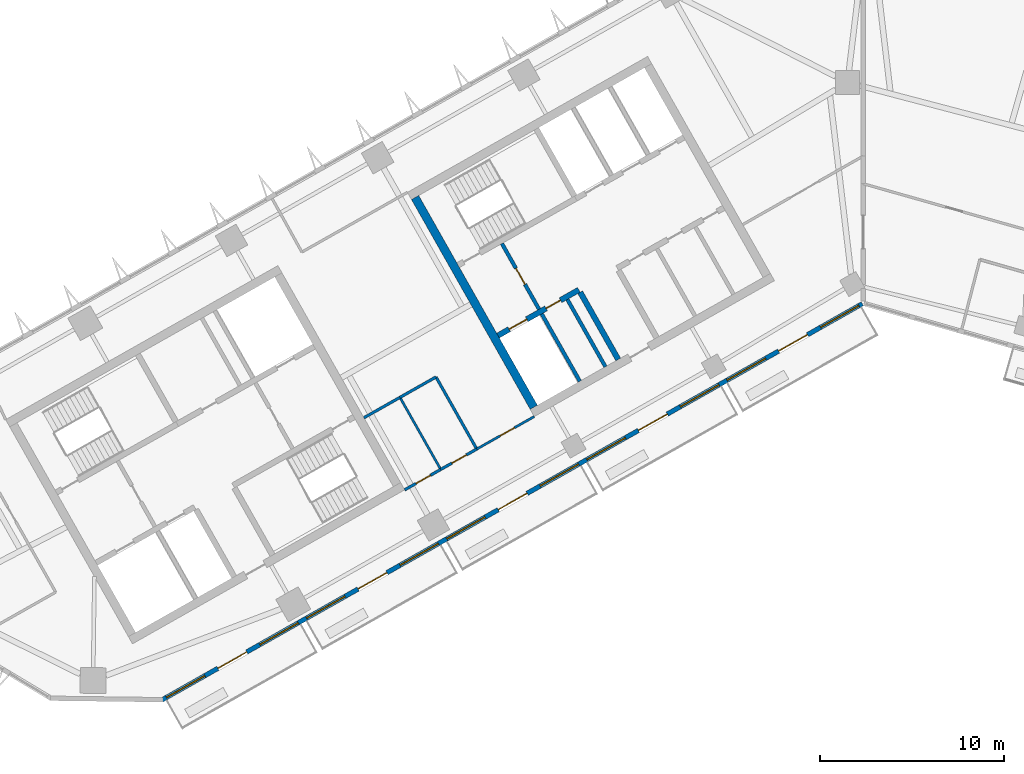
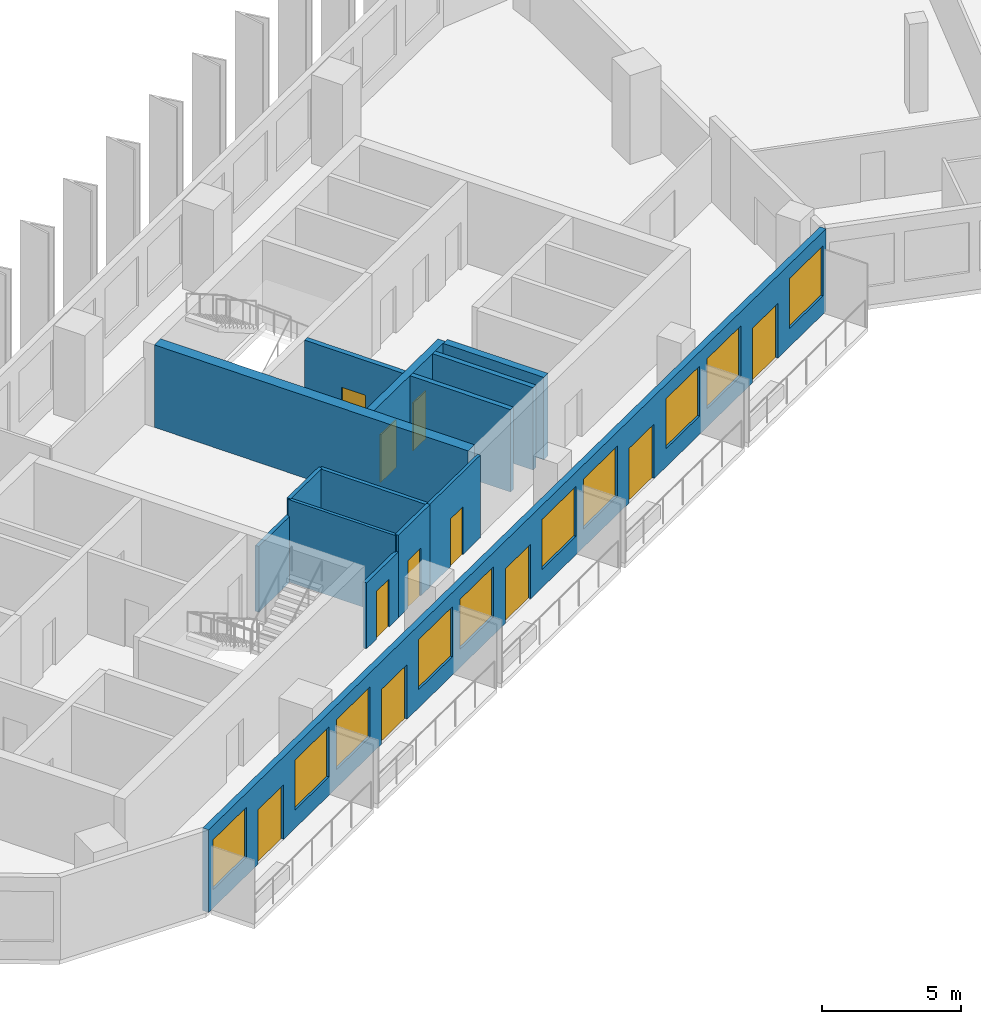
# One storey, part 5 of 12: 14 walls, 11 doors, 10 windows, 21 openings.
"""IFC4 building model written with IfcOpenShell, lengths in metres."""

from ifc_helpers import new_model, si_unit, direction, frame, frame_2d, origin, place, context, subcontext, project, spatial, rectangle, extrude, material, layer, layer_set, type_object, element, fill, save


model = new_model("IFC4")

# Units and contexts
model_context = context("Model", 3, precision=1e-05, world=origin(), true_north=direction((0.0, 1.0)))
body_context = subcontext(model_context, "Body", "Model", "MODEL_VIEW")
ifc_project = project(units=[si_unit("LENGTHUNIT", "METRE"), si_unit("AREAUNIT", "SQUARE_METRE"), si_unit("VOLUMEUNIT", "CUBIC_METRE"), si_unit("PLANEANGLEUNIT", "RADIAN"), si_unit("MASSUNIT", "GRAM", prefix="KILO")], contexts=[model_context])

# Site, building, storey
site_placement = place(None, origin())
site = spatial("IfcSite", under=ifc_project, at=site_placement, CompositionType="ELEMENT")
building_placement = place(site_placement, origin())
building = spatial("IfcBuilding", under=site, at=building_placement, Name="Binnacle Exchange Tower", CompositionType="ELEMENT")
storey_placement = place(building_placement, frame((0.0, 0.0, 238.699951171875)))
storey = spatial("IfcBuildingStorey", under=building, at=storey_placement, Name="L52", CompositionType="ELEMENT", Elevation=238.699951171875)

# Wall, openings, doors
ifc_material_1 = material(Name="Concrete C70/85", Category="concrete")
ifc_layer_1 = layer(ifc_material_1, 0.300048828125)
ifc_layer_set_1 = layer_set([ifc_layer_1], Name="Core wall - front 300")
wall_type_1 = type_object("IfcWallType", Name="Core wall - front 300", PredefinedType="SOLIDWALL", material=ifc_layer_set_1)
wall_1_placement = place(storey_placement, frame((-19.8486328125, 46.242431640625, 0.0), z_axis=(0.0, 0.0, 1.0), x_axis=(0.870347559728, 0.492437940532, 0.0)))
wall_1 = element("IfcWall", 1, at=wall_1_placement, inside=storey, type_object=wall_type_1, Name="Core wall CRWC2", PredefinedType="SOLIDWALL", context=body_context, shape_type="SweptSolid", body=[
    extrude(rectangle(XDim=5.050048828125, YDim=0.300048828125, at=frame_2d((2.52490234375, 0.0))), origin(), (0.0, 0.0, 1.0), 3.6201171875),
])
opening_1_placement = place(wall_1_placement, frame((0.7001953125, 0.0, 0.0)))
opening_1 = element("IfcOpeningElement", 2, at=opening_1_placement, cuts=wall_1, Name="Opening LD14", PredefinedType="OPENING", context=body_context, shape_type="SweptSolid", body=[
    extrude(rectangle(XDim=1.10009765625, YDim=2.10009765625, at=frame_2d((0.550048828125, 1.050048828125))), frame((0.0, 0.159912109375, 0.0), z_axis=(0.0, -1.0, 0.0), x_axis=(1.0, 0.0, 0.0)), (0.0, 0.0, 1.0), 0.320068359375),
])
opening_2_placement = place(wall_1_placement, frame((3.0, 0.0, 0.0)))
opening_2 = element("IfcOpeningElement", 3, at=opening_2_placement, cuts=wall_1, Name="Opening DC14", PredefinedType="OPENING", context=body_context, shape_type="SweptSolid", body=[
    extrude(rectangle(XDim=0.89990234375, YDim=2.10009765625, at=frame_2d((0.449951171875, 1.050048828125))), frame((0.0, 0.159912109375, 0.0), z_axis=(0.0, -1.0, 0.0), x_axis=(1.0, 0.0, 0.0)), (0.0, 0.0, 1.0), 0.320068359375),
])
ifc_material_2 = material(Name="Steel door leaf", Category="steel")
door_type_1 = type_object("IfcDoorType", Name="Fire door - lift landing 1100", OperationType="NOTDEFINED", PredefinedType="DOOR", material=ifc_material_2)
door_1_placement = place(opening_1_placement, origin())
door_1 = element("IfcDoor", 4, at=door_1_placement, inside=storey, type_object=door_type_1, Name="Landing door LD14 L52", OperationType="DOUBLE_DOOR_SLIDING", OverallHeight=2.10009765625, OverallWidth=1.10009765625, PredefinedType="DOOR", context=body_context, shape_type="SweptSolid", body=[
    extrude(rectangle(XDim=1.10009765625, YDim=2.10009765625, at=frame_2d((0.550048828125, 1.050048828125))), frame((0.0, 0.02490234375, 0.0), z_axis=(0.0, -1.0, 0.0), x_axis=(1.0, 0.0, 0.0)), (0.0, 0.0, 1.0), 0.050048828125),
])
fill(opening_1, door_1)
door_type_2 = type_object("IfcDoorType", Name="Fire door 900", OperationType="NOTDEFINED", PredefinedType="DOOR", material=ifc_material_2)
door_2_placement = place(opening_2_placement, frame((0.89990234375, 0.0, 0.0), z_axis=(0.0, 0.0, 1.0), x_axis=(-1.0, 0.0, 0.0)))
door_2 = element("IfcDoor", 5, at=door_2_placement, inside=storey, type_object=door_type_2, Name="Core room door CLEANERS STORE", OperationType="SINGLE_SWING_LEFT", OverallHeight=2.10009765625, OverallWidth=0.89990234375, PredefinedType="DOOR", context=body_context, shape_type="SweptSolid", body=[
    extrude(rectangle(XDim=0.89990234375, YDim=2.10009765625, at=frame_2d((0.449951171875, 1.050048828125))), frame((0.0, 0.02490234375, 0.0), z_axis=(0.0, -1.0, 0.0), x_axis=(1.0, 0.0, 0.0)), (0.0, 0.0, 1.0), 0.050048828125),
])
fill(opening_2, door_2)

# Walls
wall_2_placement = place(storey_placement, frame((-15.37939453125, 48.5986328125, 0.0), z_axis=(0.0, 0.0, 1.0), x_axis=(0.492409653846, -0.870363563575, 0.0)))
element("IfcWall", 6, at=wall_2_placement, inside=storey, type_object=wall_type_1, Name="Core wall CRWC13", PredefinedType="SOLIDWALL", context=body_context, shape_type="SweptSolid", body=[
    extrude(rectangle(XDim=4.199951171875, YDim=0.300048828125, at=frame_2d((2.10009765625, 0.0))), origin(), (0.0, 0.0, 1.0), 3.6201171875),
])
ifc_layer_2 = layer(ifc_material_1, 0.449951171875)
ifc_layer_set_2 = layer_set([ifc_layer_2], Name="Core wall - outer 450")
wall_type_2 = type_object("IfcWallType", Name="Core wall - outer 450", PredefinedType="SOLIDWALL", material=ifc_layer_set_2)
wall_3_placement = place(storey_placement, frame((-24.353271484375, 53.747314453125, 0.0), z_axis=(0.0, 0.0, 1.0), x_axis=(0.492435496286, -0.870348942665, 0.0)))
element("IfcWall", 7, at=wall_3_placement, inside=storey, type_object=wall_type_2, Name="Core wall CRWC7", PredefinedType="SOLIDWALL", context=body_context, shape_type="SweptSolid", body=[
    extrude(rectangle(XDim=13.10009765625, YDim=0.449951171875, at=frame_2d((6.550048828125, 0.0))), origin(), (0.0, 0.0, 1.0), 3.6201171875),
])

# Wall, openings, doors, windows
ifc_material_3 = material(Name="Bronze aluminium cladding", Category="aluminium")
ifc_layer_3 = layer(ifc_material_3, 0.25)
ifc_layer_set_3 = layer_set([ifc_layer_3], Name="External wall - window wall 250")
wall_type_3 = type_object("IfcWallType", Name="External wall - window wall 250", PredefinedType="STANDARD", material=ifc_layer_set_3)
wall_4_placement = place(storey_placement, frame((-0.045654296875, 47.97412109375, 0.0), z_axis=(0.0, 0.0, 1.0), x_axis=(-0.870356579543, -0.492421998337, 0.0)))
wall_4 = element("IfcWall", 8, at=wall_4_placement, inside=storey, type_object=wall_type_3, Name="External wall EW-G01 L52", PredefinedType="STANDARD", context=body_context, shape_type="SweptSolid", body=[
    extrude(rectangle(XDim=43.75390625, YDim=0.25, at=frame_2d((21.876953125, 0.0))), origin(), (0.0, 0.0, 1.0), 3.6201171875),
])
opening_3_placement = place(wall_4_placement, frame((41.061279296875, 0.0, 0.800048828125)))
opening_3 = element("IfcOpeningElement", 9, at=opening_3_placement, cuts=wall_4, Name="Opening WR1", PredefinedType="OPENING", context=body_context, shape_type="SweptSolid", body=[
    extrude(rectangle(XDim=2.39990234375, YDim=2.199951171875, at=frame_2d((1.199951171875, 1.10009765625))), frame((0.0, 0.135009765625, 0.0), z_axis=(0.0, -1.0, 0.0), x_axis=(1.0, 0.0, 0.0)), (0.0, 0.0, 1.0), 0.27001953125),
])
opening_4_placement = place(wall_4_placement, frame((38.443115234375, 0.0, 0.0)))
opening_4 = element("IfcOpeningElement", 10, at=opening_4_placement, cuts=wall_4, Name="Opening D-FS15-01", PredefinedType="OPENING", context=body_context, shape_type="SweptSolid", body=[
    extrude(rectangle(XDim=1.800048828125, YDim=2.39990234375, at=frame_2d((0.89990234375, 1.199951171875))), frame((0.0, 0.135009765625, 0.0), z_axis=(0.0, -1.0, 0.0), x_axis=(1.0, 0.0, 0.0)), (0.0, 0.0, 1.0), 0.27001953125),
])
opening_5_placement = place(wall_4_placement, frame((35.224853515625, 0.0, 0.800048828125)))
opening_5 = element("IfcOpeningElement", 11, at=opening_5_placement, cuts=wall_4, Name="Opening WR1", PredefinedType="OPENING", context=body_context, shape_type="SweptSolid", body=[
    extrude(rectangle(XDim=2.39990234375, YDim=2.199951171875, at=frame_2d((1.199951171875, 1.10009765625))), frame((0.0, 0.135009765625, 0.0), z_axis=(0.0, -1.0, 0.0), x_axis=(1.0, 0.0, 0.0)), (0.0, 0.0, 1.0), 0.27001953125),
])
opening_6_placement = place(wall_4_placement, frame((32.306640625, 0.0, 0.800048828125)))
opening_6 = element("IfcOpeningElement", 12, at=opening_6_placement, cuts=wall_4, Name="Opening WR1", PredefinedType="OPENING", context=body_context, shape_type="SweptSolid", body=[
    extrude(rectangle(XDim=2.39990234375, YDim=2.199951171875, at=frame_2d((1.199951171875, 1.10009765625))), frame((0.0, 0.135009765625, 0.0), z_axis=(0.0, -1.0, 0.0), x_axis=(1.0, 0.0, 0.0)), (0.0, 0.0, 1.0), 0.27001953125),
])
opening_7_placement = place(wall_4_placement, frame((29.6884765625, 0.0, 0.0)))
opening_7 = element("IfcOpeningElement", 13, at=opening_7_placement, cuts=wall_4, Name="Opening D-FS15-02", PredefinedType="OPENING", context=body_context, shape_type="SweptSolid", body=[
    extrude(rectangle(XDim=1.800048828125, YDim=2.39990234375, at=frame_2d((0.89990234375, 1.199951171875))), frame((0.0, 0.135009765625, 0.0), z_axis=(0.0, -1.0, 0.0), x_axis=(1.0, 0.0, 0.0)), (0.0, 0.0, 1.0), 0.27001953125),
])
opening_8_placement = place(wall_4_placement, frame((26.47021484375, 0.0, 0.800048828125)))
opening_8 = element("IfcOpeningElement", 14, at=opening_8_placement, cuts=wall_4, Name="Opening WR1", PredefinedType="OPENING", context=body_context, shape_type="SweptSolid", body=[
    extrude(rectangle(XDim=2.39990234375, YDim=2.199951171875, at=frame_2d((1.199951171875, 1.10009765625))), frame((0.0, 0.135009765625, 0.0), z_axis=(0.0, -1.0, 0.0), x_axis=(1.0, 0.0, 0.0)), (0.0, 0.0, 1.0), 0.27001953125),
])
opening_9_placement = place(wall_4_placement, frame((23.552001953125, 0.0, 0.800048828125)))
opening_9 = element("IfcOpeningElement", 15, at=opening_9_placement, cuts=wall_4, Name="Opening WR1", PredefinedType="OPENING", context=body_context, shape_type="SweptSolid", body=[
    extrude(rectangle(XDim=2.39990234375, YDim=2.199951171875, at=frame_2d((1.199951171875, 1.10009765625))), frame((0.0, 0.135009765625, 0.0), z_axis=(0.0, -1.0, 0.0), x_axis=(1.0, 0.0, 0.0)), (0.0, 0.0, 1.0), 0.27001953125),
])
opening_10_placement = place(wall_4_placement, frame((20.93408203125, 0.0, 0.0)))
opening_10 = element("IfcOpeningElement", 16, at=opening_10_placement, cuts=wall_4, Name="Opening D-FS15-03", PredefinedType="OPENING", context=body_context, shape_type="SweptSolid", body=[
    extrude(rectangle(XDim=1.7998046875, YDim=2.39990234375, at=frame_2d((0.89990234375, 1.199951171875))), frame((0.0, 0.135009765625, 0.0), z_axis=(0.0, -1.0, 0.0), x_axis=(1.0, 0.0, 0.0)), (0.0, 0.0, 1.0), 0.27001953125),
])
opening_11_placement = place(wall_4_placement, frame((17.7158203125, 0.0, 0.800048828125)))
opening_11 = element("IfcOpeningElement", 17, at=opening_11_placement, cuts=wall_4, Name="Opening WR1", PredefinedType="OPENING", context=body_context, shape_type="SweptSolid", body=[
    extrude(rectangle(XDim=2.39990234375, YDim=2.199951171875, at=frame_2d((1.199951171875, 1.10009765625))), frame((0.0, 0.135009765625, 0.0), z_axis=(0.0, -1.0, 0.0), x_axis=(1.0, 0.0, 0.0)), (0.0, 0.0, 1.0), 0.27001953125),
])
opening_12_placement = place(wall_4_placement, frame((14.797607421875, 0.0, 0.800048828125)))
opening_12 = element("IfcOpeningElement", 18, at=opening_12_placement, cuts=wall_4, Name="Opening WR1", PredefinedType="OPENING", context=body_context, shape_type="SweptSolid", body=[
    extrude(rectangle(XDim=2.39990234375, YDim=2.199951171875, at=frame_2d((1.199951171875, 1.10009765625))), frame((0.0, 0.135009765625, 0.0), z_axis=(0.0, -1.0, 0.0), x_axis=(1.0, 0.0, 0.0)), (0.0, 0.0, 1.0), 0.27001953125),
])
opening_13_placement = place(wall_4_placement, frame((12.179443359375, 0.0, 0.0)))
opening_13 = element("IfcOpeningElement", 19, at=opening_13_placement, cuts=wall_4, Name="Opening D-FS15-04", PredefinedType="OPENING", context=body_context, shape_type="SweptSolid", body=[
    extrude(rectangle(XDim=1.800048828125, YDim=2.39990234375, at=frame_2d((0.89990234375, 1.199951171875))), frame((0.0, 0.135009765625, 0.0), z_axis=(0.0, -1.0, 0.0), x_axis=(1.0, 0.0, 0.0)), (0.0, 0.0, 1.0), 0.27001953125),
])
opening_14_placement = place(wall_4_placement, frame((8.961181640625, 0.0, 0.800048828125)))
opening_14 = element("IfcOpeningElement", 20, at=opening_14_placement, cuts=wall_4, Name="Opening WR1", PredefinedType="OPENING", context=body_context, shape_type="SweptSolid", body=[
    extrude(rectangle(XDim=2.39990234375, YDim=2.199951171875, at=frame_2d((1.199951171875, 1.10009765625))), frame((0.0, 0.135009765625, 0.0), z_axis=(0.0, -1.0, 0.0), x_axis=(1.0, 0.0, 0.0)), (0.0, 0.0, 1.0), 0.27001953125),
])
opening_15_placement = place(wall_4_placement, frame((6.04296875, 0.0, 0.800048828125)))
opening_15 = element("IfcOpeningElement", 21, at=opening_15_placement, cuts=wall_4, Name="Opening WR1", PredefinedType="OPENING", context=body_context, shape_type="SweptSolid", body=[
    extrude(rectangle(XDim=2.400146484375, YDim=2.199951171875, at=frame_2d((1.2001953125, 1.10009765625))), frame((0.0, 0.135009765625, 0.0), z_axis=(0.0, -1.0, 0.0), x_axis=(1.0, 0.0, 0.0)), (0.0, 0.0, 1.0), 0.27001953125),
])
opening_16_placement = place(wall_4_placement, frame((3.4248046875, 0.0, 0.0)))
opening_16 = element("IfcOpeningElement", 22, at=opening_16_placement, cuts=wall_4, Name="Opening D-FS15-05", PredefinedType="OPENING", context=body_context, shape_type="SweptSolid", body=[
    extrude(rectangle(XDim=1.800048828125, YDim=2.39990234375, at=frame_2d((0.89990234375, 1.199951171875))), frame((0.0, 0.135009765625, 0.0), z_axis=(0.0, -1.0, 0.0), x_axis=(1.0, 0.0, 0.0)), (0.0, 0.0, 1.0), 0.27001953125),
])
opening_17_placement = place(wall_4_placement, frame((0.206787109375, 0.0, 0.800048828125)))
opening_17 = element("IfcOpeningElement", 23, at=opening_17_placement, cuts=wall_4, Name="Opening WR1", PredefinedType="OPENING", context=body_context, shape_type="SweptSolid", body=[
    extrude(rectangle(XDim=2.39990234375, YDim=2.199951171875, at=frame_2d((1.199951171875, 1.10009765625))), frame((0.0, 0.135009765625, 0.0), z_axis=(0.0, -1.0, 0.0), x_axis=(1.0, 0.0, 0.0)), (0.0, 0.0, 1.0), 0.27001953125),
])
ifc_material_4 = material(Name="Bronze anodised aluminium frame", Category="aluminium")
door_type_3 = type_object("IfcDoorType", Name="DB DOOR 1800x2400", OperationType="DOUBLE_DOOR_SINGLE_SWING", PredefinedType="DOOR", material=ifc_material_4)
door_3_placement = place(opening_4_placement, origin())
door_3 = element("IfcDoor", 24, at=door_3_placement, inside=storey, type_object=door_type_3, Name="Door D-FS15-01 L52", OperationType="DOUBLE_DOOR_SINGLE_SWING", OverallHeight=2.39990234375, OverallWidth=1.800048828125, PredefinedType="DOOR", context=body_context, shape_type="SweptSolid", body=[
    extrude(rectangle(XDim=1.800048828125, YDim=2.39990234375, at=frame_2d((0.89990234375, 1.199951171875))), frame((0.0, 0.02490234375, 0.0), z_axis=(0.0, -1.0, 0.0), x_axis=(1.0, 0.0, 0.0)), (0.0, 0.0, 1.0), 0.050048828125),
])
fill(opening_4, door_3)
door_4_placement = place(opening_7_placement, origin())
door_4 = element("IfcDoor", 25, at=door_4_placement, inside=storey, type_object=door_type_3, Name="Door D-FS15-02 L52", OperationType="DOUBLE_DOOR_SINGLE_SWING", OverallHeight=2.39990234375, OverallWidth=1.800048828125, PredefinedType="DOOR", context=body_context, shape_type="SweptSolid", body=[
    extrude(rectangle(XDim=1.800048828125, YDim=2.39990234375, at=frame_2d((0.89990234375, 1.199951171875))), frame((0.0, 0.02490234375, 0.0), z_axis=(0.0, -1.0, 0.0), x_axis=(1.0, 0.0, 0.0)), (0.0, 0.0, 1.0), 0.050048828125),
])
fill(opening_7, door_4)
door_5_placement = place(opening_10_placement, origin())
door_5 = element("IfcDoor", 26, at=door_5_placement, inside=storey, type_object=door_type_3, Name="Door D-FS15-03 L52", OperationType="DOUBLE_DOOR_SINGLE_SWING", OverallHeight=2.39990234375, OverallWidth=1.7998046875, PredefinedType="DOOR", context=body_context, shape_type="SweptSolid", body=[
    extrude(rectangle(XDim=1.7998046875, YDim=2.39990234375, at=frame_2d((0.89990234375, 1.199951171875))), frame((0.0, 0.02490234375, 0.0), z_axis=(0.0, -1.0, 0.0), x_axis=(1.0, 0.0, 0.0)), (0.0, 0.0, 1.0), 0.050048828125),
])
fill(opening_10, door_5)
door_6_placement = place(opening_13_placement, origin())
door_6 = element("IfcDoor", 27, at=door_6_placement, inside=storey, type_object=door_type_3, Name="Door D-FS15-04 L52", OperationType="DOUBLE_DOOR_SINGLE_SWING", OverallHeight=2.39990234375, OverallWidth=1.800048828125, PredefinedType="DOOR", context=body_context, shape_type="SweptSolid", body=[
    extrude(rectangle(XDim=1.800048828125, YDim=2.39990234375, at=frame_2d((0.89990234375, 1.199951171875))), frame((0.0, 0.02490234375, 0.0), z_axis=(0.0, -1.0, 0.0), x_axis=(1.0, 0.0, 0.0)), (0.0, 0.0, 1.0), 0.050048828125),
])
fill(opening_13, door_6)
door_7_placement = place(opening_16_placement, origin())
door_7 = element("IfcDoor", 28, at=door_7_placement, inside=storey, type_object=door_type_3, Name="Door D-FS15-05 L52", OperationType="DOUBLE_DOOR_SINGLE_SWING", OverallHeight=2.39990234375, OverallWidth=1.800048828125, PredefinedType="DOOR", context=body_context, shape_type="SweptSolid", body=[
    extrude(rectangle(XDim=1.800048828125, YDim=2.39990234375, at=frame_2d((0.89990234375, 1.199951171875))), frame((0.0, 0.02490234375, 0.0), z_axis=(0.0, -1.0, 0.0), x_axis=(1.0, 0.0, 0.0)), (0.0, 0.0, 1.0), 0.050048828125),
])
fill(opening_16, door_7)
window_type = type_object("IfcWindowType", Name="WR1 WINDOW 2400x2200", PartitioningType="SINGLE_PANEL", PredefinedType="WINDOW", material=ifc_material_4)
window_1_placement = place(opening_3_placement, origin())
window_1 = element("IfcWindow", 29, at=window_1_placement, inside=storey, type_object=window_type, Name="Window WR1 L52", OverallHeight=2.199951171875, OverallWidth=2.39990234375, PartitioningType="SINGLE_PANEL", PredefinedType="WINDOW", context=body_context, shape_type="SweptSolid", body=[
    extrude(rectangle(XDim=2.39990234375, YDim=2.199951171875, at=frame_2d((1.199951171875, 1.10009765625))), frame((0.0, 0.030029296875, 0.0), z_axis=(0.0, -1.0, 0.0), x_axis=(1.0, 0.0, 0.0)), (0.0, 0.0, 1.0), 0.06005859375),
])
fill(opening_3, window_1)
window_2_placement = place(opening_5_placement, origin())
window_2 = element("IfcWindow", 30, at=window_2_placement, inside=storey, type_object=window_type, Name="Window WR1 L52", OverallHeight=2.199951171875, OverallWidth=2.39990234375, PartitioningType="SINGLE_PANEL", PredefinedType="WINDOW", context=body_context, shape_type="SweptSolid", body=[
    extrude(rectangle(XDim=2.39990234375, YDim=2.199951171875, at=frame_2d((1.199951171875, 1.10009765625))), frame((0.0, 0.030029296875, 0.0), z_axis=(0.0, -1.0, 0.0), x_axis=(1.0, 0.0, 0.0)), (0.0, 0.0, 1.0), 0.06005859375),
])
fill(opening_5, window_2)
window_3_placement = place(opening_6_placement, origin())
window_3 = element("IfcWindow", 31, at=window_3_placement, inside=storey, type_object=window_type, Name="Window WR1 L52", OverallHeight=2.199951171875, OverallWidth=2.39990234375, PartitioningType="SINGLE_PANEL", PredefinedType="WINDOW", context=body_context, shape_type="SweptSolid", body=[
    extrude(rectangle(XDim=2.39990234375, YDim=2.199951171875, at=frame_2d((1.199951171875, 1.10009765625))), frame((0.0, 0.030029296875, 0.0), z_axis=(0.0, -1.0, 0.0), x_axis=(1.0, 0.0, 0.0)), (0.0, 0.0, 1.0), 0.06005859375),
])
fill(opening_6, window_3)
window_4_placement = place(opening_8_placement, origin())
window_4 = element("IfcWindow", 32, at=window_4_placement, inside=storey, type_object=window_type, Name="Window WR1 L52", OverallHeight=2.199951171875, OverallWidth=2.39990234375, PartitioningType="SINGLE_PANEL", PredefinedType="WINDOW", context=body_context, shape_type="SweptSolid", body=[
    extrude(rectangle(XDim=2.39990234375, YDim=2.199951171875, at=frame_2d((1.199951171875, 1.10009765625))), frame((0.0, 0.030029296875, 0.0), z_axis=(0.0, -1.0, 0.0), x_axis=(1.0, 0.0, 0.0)), (0.0, 0.0, 1.0), 0.06005859375),
])
fill(opening_8, window_4)
window_5_placement = place(opening_9_placement, origin())
window_5 = element("IfcWindow", 33, at=window_5_placement, inside=storey, type_object=window_type, Name="Window WR1 L52", OverallHeight=2.199951171875, OverallWidth=2.39990234375, PartitioningType="SINGLE_PANEL", PredefinedType="WINDOW", context=body_context, shape_type="SweptSolid", body=[
    extrude(rectangle(XDim=2.39990234375, YDim=2.199951171875, at=frame_2d((1.199951171875, 1.10009765625))), frame((0.0, 0.030029296875, 0.0), z_axis=(0.0, -1.0, 0.0), x_axis=(1.0, 0.0, 0.0)), (0.0, 0.0, 1.0), 0.06005859375),
])
fill(opening_9, window_5)
window_6_placement = place(opening_11_placement, origin())
window_6 = element("IfcWindow", 34, at=window_6_placement, inside=storey, type_object=window_type, Name="Window WR1 L52", OverallHeight=2.199951171875, OverallWidth=2.39990234375, PartitioningType="SINGLE_PANEL", PredefinedType="WINDOW", context=body_context, shape_type="SweptSolid", body=[
    extrude(rectangle(XDim=2.39990234375, YDim=2.199951171875, at=frame_2d((1.199951171875, 1.10009765625))), frame((0.0, 0.030029296875, 0.0), z_axis=(0.0, -1.0, 0.0), x_axis=(1.0, 0.0, 0.0)), (0.0, 0.0, 1.0), 0.06005859375),
])
fill(opening_11, window_6)
window_7_placement = place(opening_12_placement, origin())
window_7 = element("IfcWindow", 35, at=window_7_placement, inside=storey, type_object=window_type, Name="Window WR1 L52", OverallHeight=2.199951171875, OverallWidth=2.39990234375, PartitioningType="SINGLE_PANEL", PredefinedType="WINDOW", context=body_context, shape_type="SweptSolid", body=[
    extrude(rectangle(XDim=2.39990234375, YDim=2.199951171875, at=frame_2d((1.199951171875, 1.10009765625))), frame((0.0, 0.030029296875, 0.0), z_axis=(0.0, -1.0, 0.0), x_axis=(1.0, 0.0, 0.0)), (0.0, 0.0, 1.0), 0.06005859375),
])
fill(opening_12, window_7)
window_8_placement = place(opening_14_placement, origin())
window_8 = element("IfcWindow", 36, at=window_8_placement, inside=storey, type_object=window_type, Name="Window WR1 L52", OverallHeight=2.199951171875, OverallWidth=2.39990234375, PartitioningType="SINGLE_PANEL", PredefinedType="WINDOW", context=body_context, shape_type="SweptSolid", body=[
    extrude(rectangle(XDim=2.39990234375, YDim=2.199951171875, at=frame_2d((1.199951171875, 1.10009765625))), frame((0.0, 0.030029296875, 0.0), z_axis=(0.0, -1.0, 0.0), x_axis=(1.0, 0.0, 0.0)), (0.0, 0.0, 1.0), 0.06005859375),
])
fill(opening_14, window_8)
window_9_placement = place(opening_15_placement, origin())
window_9 = element("IfcWindow", 37, at=window_9_placement, inside=storey, type_object=window_type, Name="Window WR1 L52", OverallHeight=2.199951171875, OverallWidth=2.400146484375, PartitioningType="SINGLE_PANEL", PredefinedType="WINDOW", context=body_context, shape_type="SweptSolid", body=[
    extrude(rectangle(XDim=2.400146484375, YDim=2.199951171875, at=frame_2d((1.2001953125, 1.10009765625))), frame((0.0, 0.030029296875, 0.0), z_axis=(0.0, -1.0, 0.0), x_axis=(1.0, 0.0, 0.0)), (0.0, 0.0, 1.0), 0.06005859375),
])
fill(opening_15, window_9)
window_10_placement = place(opening_17_placement, origin())
window_10 = element("IfcWindow", 38, at=window_10_placement, inside=storey, type_object=window_type, Name="Window WR1 L52", OverallHeight=2.199951171875, OverallWidth=2.39990234375, PartitioningType="SINGLE_PANEL", PredefinedType="WINDOW", context=body_context, shape_type="SweptSolid", body=[
    extrude(rectangle(XDim=2.39990234375, YDim=2.199951171875, at=frame_2d((1.199951171875, 1.10009765625))), frame((0.0, 0.030029296875, 0.0), z_axis=(0.0, -1.0, 0.0), x_axis=(1.0, 0.0, 0.0)), (0.0, 0.0, 1.0), 0.06005859375),
])
fill(opening_17, window_10)

# Wall, opening, door
ifc_material_5 = material(Name="Masonry block wall", Category="masonry")
ifc_layer_4 = layer(ifc_material_5, 0.199951171875)
ifc_layer_set_4 = layer_set([ifc_layer_4], Name="Fire wall - vestibule 200")
wall_type_4 = type_object("IfcWallType", Name="Fire wall - vestibule 200", PredefinedType="PARTITIONING", material=ifc_layer_set_4)
wall_5_placement = place(storey_placement, frame((-19.635009765625, 51.246337890625, 0.0), z_axis=(0.0, 0.0, 1.0), x_axis=(0.492408451753, -0.87036424366, 0.0)))
wall_5 = element("IfcWall", 39, at=wall_5_placement, inside=storey, type_object=wall_type_4, Name="Core wall CRWC10", PredefinedType="PARTITIONING", context=body_context, shape_type="SweptSolid", body=[
    extrude(rectangle(XDim=4.099853515625, YDim=0.199951171875, at=frame_2d((2.0498046875, 0.0))), origin(), (0.0, 0.0, 1.0), 3.6201171875),
])
opening_18_placement = place(wall_5_placement, frame((1.550048828125, 0.0, 0.0)))
opening_18 = element("IfcOpeningElement", 40, at=opening_18_placement, cuts=wall_5, Name="Opening DC3", PredefinedType="OPENING", context=body_context, shape_type="SweptSolid", body=[
    extrude(rectangle(XDim=1.0, YDim=2.10009765625, at=frame_2d((0.5, 1.050048828125))), frame((0.0, 0.10986328125, 0.0), z_axis=(0.0, -1.0, 0.0), x_axis=(1.0, 0.0, 0.0)), (0.0, 0.0, 1.0), 0.219970703125),
])
door_type_4 = type_object("IfcDoorType", Name="Fire door 1000", OperationType="NOTDEFINED", PredefinedType="DOOR", material=ifc_material_2)
door_8_placement = place(opening_18_placement, frame((1.0, 0.0, 0.0), z_axis=(0.0, 0.0, 1.0), x_axis=(-1.0, 0.0, 0.0)))
door_8 = element("IfcDoor", 41, at=door_8_placement, inside=storey, type_object=door_type_4, Name="Vestibule door VEST-W", OperationType="SINGLE_SWING_RIGHT", OverallHeight=2.10009765625, OverallWidth=1.0, PredefinedType="DOOR", context=body_context, shape_type="SweptSolid", body=[
    extrude(rectangle(XDim=1.0, YDim=2.10009765625, at=frame_2d((0.5, 1.050048828125))), frame((0.0, 0.02490234375, 0.0), z_axis=(0.0, -1.0, 0.0), x_axis=(1.0, 0.0, 0.0)), (0.0, 0.0, 1.0), 0.050048828125),
])
fill(opening_18, door_8)

# Walls
ifc_material_6 = material(Name="Gypsum partition fire rated")
ifc_layer_5 = layer(ifc_material_6, 0.14990234375)
ifc_layer_set_5 = layer_set([ifc_layer_5], Name="Fire-rated partition 150")
wall_type_5 = type_object("IfcWallType", Name="Fire-rated partition 150", PredefinedType="PARTITIONING", material=ifc_layer_set_5)
wall_6_placement = place(storey_placement, frame((-27.134033203125, 41.77587890625, 0.0), z_axis=(0.0, 0.0, 1.0), x_axis=(0.870285818058, 0.4925470484, 0.0)))
element("IfcWall", 42, at=wall_6_placement, inside=storey, type_object=wall_type_5, Name="Partition W08", PredefinedType="PARTITIONING", context=body_context, shape_type="SweptSolid", body=[
    extrude(rectangle(XDim=2.249755859375, YDim=0.14990234375, at=frame_2d((1.125, 0.0))), origin(), (0.0, 0.0, 1.0), 2.89208984375),
])
wall_7_placement = place(storey_placement, frame((-25.176025390625, 42.884033203125, 0.0), z_axis=(0.0, 0.0, 1.0), x_axis=(0.870332332106, 0.492464853254, 0.0)))
element("IfcWall", 43, at=wall_7_placement, inside=storey, type_object=wall_type_5, Name="Partition W09", PredefinedType="PARTITIONING", context=body_context, shape_type="SweptSolid", body=[
    extrude(rectangle(XDim=2.249755859375, YDim=0.14990234375, at=frame_2d((1.125, 0.0))), origin(), (0.0, 0.0, 1.0), 3.6201171875),
])

# Wall, opening, door
wall_8_placement = place(storey_placement, frame((-24.9189453125, 37.85888671875, 0.0), z_axis=(0.0, 0.0, 1.0), x_axis=(0.870391061957, 0.492361045641, 0.0)))
wall_8 = element("IfcWall", 44, at=wall_8_placement, inside=storey, type_object=wall_type_5, Name="Partition W11", PredefinedType="PARTITIONING", context=body_context, shape_type="SweptSolid", body=[
    extrude(rectangle(XDim=2.250732421875, YDim=0.14990234375, at=frame_2d((1.12548828125, 0.0))), origin(), (0.0, 0.0, 1.0), 2.89208984375),
])
opening_19_placement = place(wall_8_placement, frame((0.699951171875, 0.0, 0.0)))
opening_19 = element("IfcOpeningElement", 45, at=opening_19_placement, cuts=wall_8, Name="Opening DL52-02", PredefinedType="OPENING", context=body_context, shape_type="SweptSolid", body=[
    extrude(rectangle(XDim=0.89990234375, YDim=2.10009765625, at=frame_2d((0.449951171875, 1.050048828125))), frame((0.0, 0.0849609375, 0.0), z_axis=(0.0, -1.0, 0.0), x_axis=(1.0, 0.0, 0.0)), (0.0, 0.0, 1.0), 0.169921875),
])
door_9_placement = place(opening_19_placement, origin())
door_9 = element("IfcDoor", 46, at=door_9_placement, inside=storey, type_object=door_type_2, Name="Door DL52-02", OperationType="SINGLE_SWING_RIGHT", OverallHeight=2.10009765625, OverallWidth=0.89990234375, PredefinedType="DOOR", context=body_context, shape_type="SweptSolid", body=[
    extrude(rectangle(XDim=0.89990234375, YDim=2.10009765625, at=frame_2d((0.449951171875, 1.050048828125))), frame((0.0, 0.02490234375, 0.0), z_axis=(0.0, -1.0, 0.0), x_axis=(1.0, 0.0, 0.0)), (0.0, 0.0, 1.0), 0.050048828125),
])
fill(opening_19, door_9)

# Wall
wall_9_placement = place(storey_placement, frame((-23.218017578125, 43.991943359375, 0.0), z_axis=(0.0, 0.0, 1.0), x_axis=(0.492412939134, -0.87036170491, 0.0)))
element("IfcWall", 47, at=wall_9_placement, inside=storey, type_object=wall_type_5, Name="Partition W12", PredefinedType="PARTITIONING", context=body_context, shape_type="SweptSolid", body=[
    extrude(rectangle(XDim=4.50048828125, YDim=0.14990234375, at=frame_2d((2.250244140625, 0.0))), origin(), (0.0, 0.0, 1.0), 3.6201171875),
])

# Wall, opening, door
wall_10_placement = place(storey_placement, frame((-22.9599609375, 38.967041015625, 0.0), z_axis=(0.0, 0.0, 1.0), x_axis=(0.870332332106, 0.492464853254, 0.0)))
wall_10 = element("IfcWall", 48, at=wall_10_placement, inside=storey, type_object=wall_type_5, Name="Partition W13", PredefinedType="PARTITIONING", context=body_context, shape_type="SweptSolid", body=[
    extrude(rectangle(XDim=2.249755859375, YDim=0.14990234375, at=frame_2d((1.125, 0.0))), origin(), (0.0, 0.0, 1.0), 3.6201171875),
])
opening_20_placement = place(wall_10_placement, frame((0.699951171875, 0.0, 0.0)))
opening_20 = element("IfcOpeningElement", 49, at=opening_20_placement, cuts=wall_10, Name="Opening DL52-03", PredefinedType="OPENING", context=body_context, shape_type="SweptSolid", body=[
    extrude(rectangle(XDim=0.89990234375, YDim=2.10009765625, at=frame_2d((0.449951171875, 1.050048828125))), frame((0.0, 0.0849609375, 0.0), z_axis=(0.0, -1.0, 0.0), x_axis=(1.0, 0.0, 0.0)), (0.0, 0.0, 1.0), 0.169921875),
])
door_10_placement = place(opening_20_placement, origin())
door_10 = element("IfcDoor", 50, at=door_10_placement, inside=storey, type_object=door_type_2, Name="Door DL52-03", OperationType="SINGLE_SWING_RIGHT", OverallHeight=2.10009765625, OverallWidth=0.89990234375, PredefinedType="DOOR", context=body_context, shape_type="SweptSolid", body=[
    extrude(rectangle(XDim=0.89990234375, YDim=2.10009765625, at=frame_2d((0.449951171875, 1.050048828125))), frame((0.0, 0.02490234375, 0.0), z_axis=(0.0, -1.0, 0.0), x_axis=(1.0, 0.0, 0.0)), (0.0, 0.0, 1.0), 0.050048828125),
])
fill(opening_20, door_10)

# Wall
ifc_material_7 = material(Name="Gypsum partition")
ifc_layer_6 = layer(ifc_material_7, 0.125)
ifc_layer_set_6 = layer_set([ifc_layer_6], Name="Partition 125")
wall_type_6 = type_object("IfcWallType", Name="Partition 125", PredefinedType="PARTITIONING", material=ifc_layer_set_6)
wall_11_placement = place(storey_placement, frame((-25.176025390625, 42.884033203125, 0.0), z_axis=(0.0, 0.0, 1.0), x_axis=(0.492412939134, -0.87036170491, 0.0)))
element("IfcWall", 51, at=wall_11_placement, inside=storey, type_object=wall_type_6, Name="Partition W10", PredefinedType="PARTITIONING", context=body_context, shape_type="SweptSolid", body=[
    extrude(rectangle(XDim=4.50048828125, YDim=0.125, at=frame_2d((2.250244140625, 0.0))), origin(), (0.0, 0.0, 1.0), 3.6201171875),
])

# Wall, opening, door
wall_12_placement = place(storey_placement, frame((-21.001953125, 40.074951171875, 0.0), z_axis=(0.0, 0.0, 1.0), x_axis=(0.870352535776, 0.492429145632, 0.0)))
wall_12 = element("IfcWall", 52, at=wall_12_placement, inside=storey, type_object=wall_type_6, Name="Partition W14", PredefinedType="PARTITIONING", context=body_context, shape_type="SweptSolid", body=[
    extrude(rectangle(XDim=3.590576171875, YDim=0.125, at=frame_2d((1.79541015625, 0.0))), origin(), (0.0, 0.0, 1.0), 3.6201171875),
])
opening_21_placement = place(wall_12_placement, frame((1.449951171875, 0.0, 0.0)))
opening_21 = element("IfcOpeningElement", 53, at=opening_21_placement, cuts=wall_12, Name="Opening DL52-04", PredefinedType="OPENING", context=body_context, shape_type="SweptSolid", body=[
    extrude(rectangle(XDim=0.89990234375, YDim=2.10009765625, at=frame_2d((0.449951171875, 1.050048828125))), frame((0.0, 0.072509765625, 0.0), z_axis=(0.0, -1.0, 0.0), x_axis=(1.0, 0.0, 0.0)), (0.0, 0.0, 1.0), 0.14501953125),
])
ifc_material_8 = material(Name="Timber door leaf", Category="wood")
door_type_5 = type_object("IfcDoorType", Name="Door 900", OperationType="NOTDEFINED", PredefinedType="DOOR", material=ifc_material_8)
door_11_placement = place(opening_21_placement, origin())
door_11 = element("IfcDoor", 54, at=door_11_placement, inside=storey, type_object=door_type_5, Name="Door DL52-04", OperationType="SINGLE_SWING_RIGHT", OverallHeight=2.10009765625, OverallWidth=0.89990234375, PredefinedType="DOOR", context=body_context, shape_type="SweptSolid", body=[
    extrude(rectangle(XDim=0.89990234375, YDim=2.10009765625, at=frame_2d((0.449951171875, 1.050048828125))), frame((0.0, 0.02490234375, 0.0), z_axis=(0.0, -1.0, 0.0), x_axis=(1.0, 0.0, 0.0)), (0.0, 0.0, 1.0), 0.050048828125),
])
fill(opening_21, door_11)

# Walls
ifc_layer_7 = layer(ifc_material_5, 0.199951171875)
ifc_layer_set_7 = layer_set([ifc_layer_7], Name="Riser wall 200")
wall_type_7 = type_object("IfcWallType", Name="Riser wall 200", PredefinedType="SOLIDWALL", material=ifc_layer_set_7)
wall_13_placement = place(storey_placement, frame((-16.07568359375, 48.20458984375, 0.0), z_axis=(0.0, 0.0, 1.0), x_axis=(0.49243456751, -0.870349468157, 0.0)))
element("IfcWall", 55, at=wall_13_placement, inside=storey, type_object=wall_type_7, Name="Core wall CRWC12", PredefinedType="SOLIDWALL", context=body_context, shape_type="SweptSolid", body=[
    extrude(rectangle(XDim=4.19970703125, YDim=0.199951171875, at=frame_2d((2.099853515625, 0.0))), origin(), (0.0, 0.0, 1.0), 3.6201171875),
])
ifc_layer_8 = layer(ifc_material_5, 0.199951171875)
ifc_layer_set_8 = layer_set([ifc_layer_8], Name="Shaft wall 200")
wall_type_8 = type_object("IfcWallType", Name="Shaft wall 200", PredefinedType="SOLIDWALL", material=ifc_layer_set_8)
wall_14_placement = place(storey_placement, frame((-17.468505859375, 47.416748046875, 0.0), z_axis=(0.0, 0.0, 1.0), x_axis=(0.492453686477, -0.870338650569, 0.0)))
element("IfcWall", 56, at=wall_14_placement, inside=storey, type_object=wall_type_8, Name="Core wall CRWC9", PredefinedType="SOLIDWALL", context=body_context, shape_type="SweptSolid", body=[
    extrude(rectangle(XDim=4.2001953125, YDim=0.199951171875, at=frame_2d((2.10009765625, 0.0))), origin(), (0.0, 0.0, 1.0), 3.6201171875),
])

save(model, "model.ifc")
